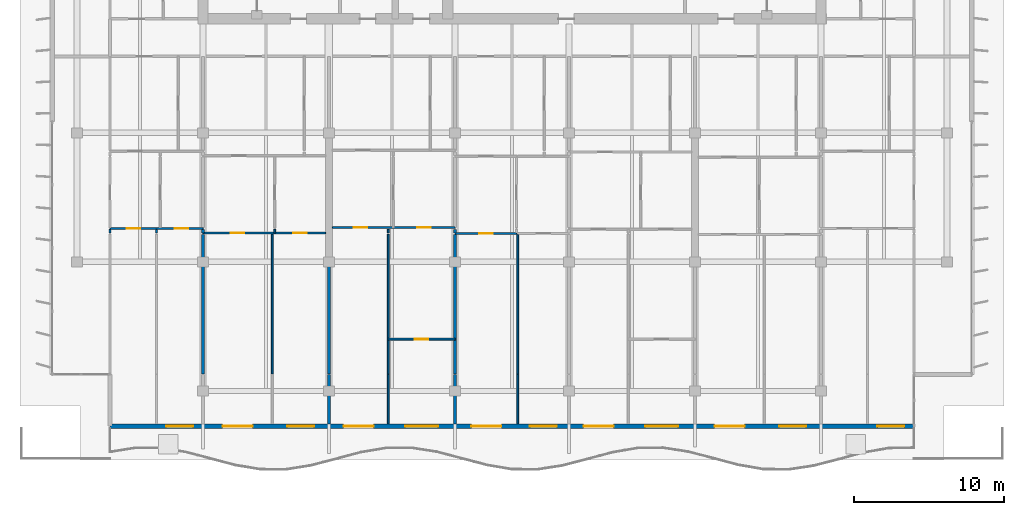
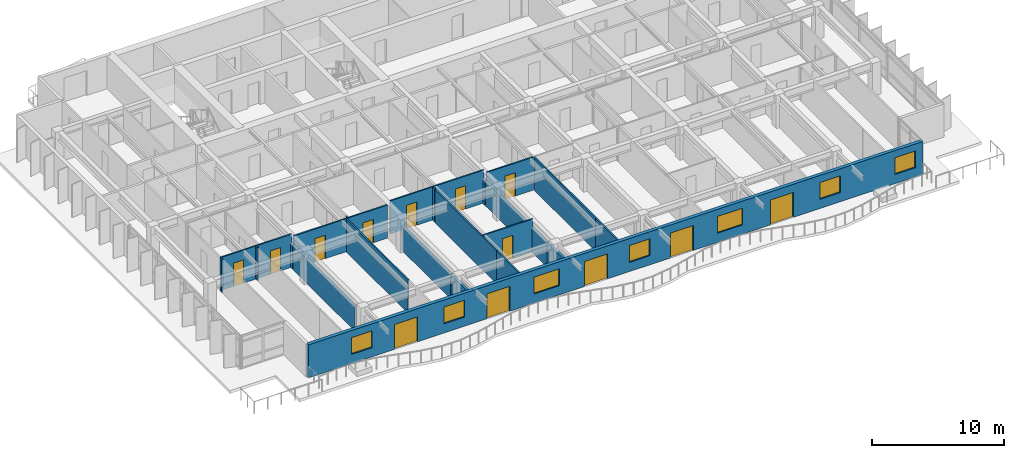
# One storey, part 6 of 17: 22 walls, 13 doors, 7 windows, 20 openings.
"""IFC4 building model written with IfcOpenShell, lengths in metres."""

from ifc_helpers import new_model, si_unit, direction, frame, frame_2d, origin, place, context, subcontext, project, spatial, rectangle, extrude, material, layer, layer_set, type_object, element, fill, save


model = new_model("IFC4")

# Units and contexts
model_context = context("Model", 3, precision=1e-05, world=origin(), true_north=direction((0.0, 1.0)))
body_context = subcontext(model_context, "Body", "Model", "MODEL_VIEW")
ifc_project = project(units=[si_unit("LENGTHUNIT", "METRE"), si_unit("AREAUNIT", "SQUARE_METRE"), si_unit("VOLUMEUNIT", "CUBIC_METRE"), si_unit("PLANEANGLEUNIT", "RADIAN"), si_unit("MASSUNIT", "GRAM", prefix="KILO")], contexts=[model_context])

# Site, building, storey
site_placement = place(None, origin())
site = spatial("IfcSite", under=ifc_project, at=site_placement, CompositionType="ELEMENT")
building_placement = place(site_placement, origin())
building = spatial("IfcBuilding", under=site, at=building_placement, Name="Caelmar Bay Residences", CompositionType="ELEMENT")
storey_placement = place(building_placement, frame((0.0, 0.0, 226.5)))
storey = spatial("IfcBuildingStorey", under=building, at=storey_placement, Name="L63", CompositionType="ELEMENT", Elevation=226.5)

# Wall, openings, doors, windows
ifc_material_1 = material(Name="Precast concrete f'c 40 MPa (6,000 psi)", Category="concrete")
ifc_layer_1 = layer(ifc_material_1, 0.300048828125)
ifc_layer_set_1 = layer_set([ifc_layer_1], Name="Precast concrete f'c 40 MPa (6,000 psi)")
wall_type_1 = type_object("IfcWallType", Name="W-EXT-300", PredefinedType="STANDARD", material=ifc_layer_set_1)
wall_1_placement = place(storey_placement, frame((65.699951171875, 9.85009765625, 0.0), z_axis=(0.0, 0.0, 1.0), x_axis=(-1.0, 0.0, 0.0)))
wall_1 = element("IfcWall", 1, at=wall_1_placement, inside=storey, type_object=wall_type_1, Name="L63 South Bayfront Exterior Wall", PredefinedType="STANDARD", context=body_context, shape_type="SweptSolid", body=[
    extrude(rectangle(XDim=53.599853515625, YDim=0.300048828125, at=frame_2d((26.7998046875, 0.0))), origin(), (0.0, 0.0, 1.0), 3.050048828125),
])
opening_1_placement = place(wall_1_placement, frame((48.050048828125, 0.0, 0.85009765625)))
opening_1 = element("IfcOpeningElement", 2, at=opening_1_placement, cuts=wall_1, Name="Opening WN1", PredefinedType="OPENING", context=body_context, shape_type="SweptSolid", body=[
    extrude(rectangle(XDim=1.800048828125, YDim=1.550048828125, at=frame_2d((0.89990234375, 0.77490234375))), frame((0.0, 0.159912109375, 0.0), z_axis=(0.0, -1.0, 0.0), x_axis=(1.0, 0.0, 0.0)), (0.0, 0.0, 1.0), 0.320068359375),
])
opening_2_placement = place(wall_1_placement, frame((44.090087890625, 0.0, 0.0)))
opening_2 = element("IfcOpeningElement", 3, at=opening_2_placement, cuts=wall_1, Name="Opening L63-BD01", PredefinedType="OPENING", context=body_context, shape_type="SweptSolid", body=[
    extrude(rectangle(XDim=2.0, YDim=2.300048828125, at=frame_2d((1.0, 1.14990234375))), frame((0.0, 0.159912109375, 0.0), z_axis=(0.0, -1.0, 0.0), x_axis=(1.0, 0.0, 0.0)), (0.0, 0.0, 1.0), 0.320068359375),
])
opening_3_placement = place(wall_1_placement, frame((39.989990234375, 0.0, 0.85009765625)))
opening_3 = element("IfcOpeningElement", 4, at=opening_3_placement, cuts=wall_1, Name="Opening WN1", PredefinedType="OPENING", context=body_context, shape_type="SweptSolid", body=[
    extrude(rectangle(XDim=1.800048828125, YDim=1.550048828125, at=frame_2d((0.89990234375, 0.77490234375))), frame((0.0, 0.159912109375, 0.0), z_axis=(0.0, -1.0, 0.0), x_axis=(1.0, 0.0, 0.0)), (0.0, 0.0, 1.0), 0.320068359375),
])
opening_4_placement = place(wall_1_placement, frame((36.02587890625, 0.0, 0.0)))
opening_4 = element("IfcOpeningElement", 5, at=opening_4_placement, cuts=wall_1, Name="Opening L63-BD02", PredefinedType="OPENING", context=body_context, shape_type="SweptSolid", body=[
    extrude(rectangle(XDim=2.0, YDim=2.300048828125, at=frame_2d((1.0, 1.14990234375))), frame((0.0, 0.159912109375, 0.0), z_axis=(0.0, -1.0, 0.0), x_axis=(1.0, 0.0, 0.0)), (0.0, 0.0, 1.0), 0.320068359375),
])
opening_5_placement = place(wall_1_placement, frame((31.72607421875, 0.0, 0.85009765625)))
opening_5 = element("IfcOpeningElement", 6, at=opening_5_placement, cuts=wall_1, Name="Opening WN2", PredefinedType="OPENING", context=body_context, shape_type="SweptSolid", body=[
    extrude(rectangle(XDim=2.199951171875, YDim=1.550048828125, at=frame_2d((1.10009765625, 0.77490234375))), frame((0.0, 0.159912109375, 0.0), z_axis=(0.0, -1.0, 0.0), x_axis=(1.0, 0.0, 0.0)), (0.0, 0.0, 1.0), 0.320068359375),
])
opening_6_placement = place(wall_1_placement, frame((27.510009765625, 0.0, 0.0)))
opening_6 = element("IfcOpeningElement", 7, at=opening_6_placement, cuts=wall_1, Name="Opening L63-BD03", PredefinedType="OPENING", context=body_context, shape_type="SweptSolid", body=[
    extrude(rectangle(XDim=2.0, YDim=2.300048828125, at=frame_2d((1.0, 1.14990234375))), frame((0.0, 0.159912109375, 0.0), z_axis=(0.0, -1.0, 0.0), x_axis=(1.0, 0.0, 0.0)), (0.0, 0.0, 1.0), 0.320068359375),
])
opening_7_placement = place(wall_1_placement, frame((23.81005859375, 0.0, 0.85009765625)))
opening_7 = element("IfcOpeningElement", 8, at=opening_7_placement, cuts=wall_1, Name="Opening WN1", PredefinedType="OPENING", context=body_context, shape_type="SweptSolid", body=[
    extrude(rectangle(XDim=1.800048828125, YDim=1.550048828125, at=frame_2d((0.89990234375, 0.77490234375))), frame((0.0, 0.159912109375, 0.0), z_axis=(0.0, -1.0, 0.0), x_axis=(1.0, 0.0, 0.0)), (0.0, 0.0, 1.0), 0.320068359375),
])
opening_8_placement = place(wall_1_placement, frame((20.02587890625, 0.0, 0.0)))
opening_8 = element("IfcOpeningElement", 9, at=opening_8_placement, cuts=wall_1, Name="Opening L63-BD04", PredefinedType="OPENING", context=body_context, shape_type="SweptSolid", body=[
    extrude(rectangle(XDim=2.0, YDim=2.300048828125, at=frame_2d((1.0, 1.14990234375))), frame((0.0, 0.159912109375, 0.0), z_axis=(0.0, -1.0, 0.0), x_axis=(1.0, 0.0, 0.0)), (0.0, 0.0, 1.0), 0.320068359375),
])
opening_9_placement = place(wall_1_placement, frame((15.72607421875, 0.0, 0.85009765625)))
opening_9 = element("IfcOpeningElement", 10, at=opening_9_placement, cuts=wall_1, Name="Opening WN2", PredefinedType="OPENING", context=body_context, shape_type="SweptSolid", body=[
    extrude(rectangle(XDim=2.199951171875, YDim=1.550048828125, at=frame_2d((1.10009765625, 0.77490234375))), frame((0.0, 0.159912109375, 0.0), z_axis=(0.0, -1.0, 0.0), x_axis=(1.0, 0.0, 0.0)), (0.0, 0.0, 1.0), 0.320068359375),
])
opening_10_placement = place(wall_1_placement, frame((11.2900390625, 0.0, 0.0)))
opening_10 = element("IfcOpeningElement", 11, at=opening_10_placement, cuts=wall_1, Name="Opening L63-BD05", PredefinedType="OPENING", context=body_context, shape_type="SweptSolid", body=[
    extrude(rectangle(XDim=2.0, YDim=2.300048828125, at=frame_2d((1.0, 1.14990234375))), frame((0.0, 0.159912109375, 0.0), z_axis=(0.0, -1.0, 0.0), x_axis=(1.0, 0.0, 0.0)), (0.0, 0.0, 1.0), 0.320068359375),
])
opening_11_placement = place(wall_1_placement, frame((7.18994140625, 0.0, 0.85009765625)))
opening_11 = element("IfcOpeningElement", 12, at=opening_11_placement, cuts=wall_1, Name="Opening WN1", PredefinedType="OPENING", context=body_context, shape_type="SweptSolid", body=[
    extrude(rectangle(XDim=1.800048828125, YDim=1.550048828125, at=frame_2d((0.89990234375, 0.77490234375))), frame((0.0, 0.159912109375, 0.0), z_axis=(0.0, -1.0, 0.0), x_axis=(1.0, 0.0, 0.0)), (0.0, 0.0, 1.0), 0.320068359375),
])
opening_12_placement = place(wall_1_placement, frame((0.64990234375, 0.0, 0.85009765625)))
opening_12 = element("IfcOpeningElement", 13, at=opening_12_placement, cuts=wall_1, Name="Opening WN1", PredefinedType="OPENING", context=body_context, shape_type="SweptSolid", body=[
    extrude(rectangle(XDim=1.800048828125, YDim=1.550048828125, at=frame_2d((0.89990234375, 0.77490234375))), frame((0.0, 0.159912109375, 0.0), z_axis=(0.0, -1.0, 0.0), x_axis=(1.0, 0.0, 0.0)), (0.0, 0.0, 1.0), 0.320068359375),
])
ifc_material_2 = material(Name="Anodised bronze thermally broken sliding glass door", Category="glass")
ifc_layer_2 = layer(ifc_material_2, 0.050048828125)
ifc_layer_set_2 = layer_set([ifc_layer_2], Name="Anodised bronze thermally broken sliding glass door")
door_type_1 = type_object("IfcDoorType", Name="D-BAL-2000", OperationType="DOUBLE_DOOR_SLIDING", PredefinedType="DOOR", material=ifc_layer_set_2)
door_1_placement = place(opening_2_placement, origin())
door_1 = element("IfcDoor", 14, at=door_1_placement, inside=storey, type_object=door_type_1, Name="L63 Residence 02 Living Room Balcony Door", OperationType="DOUBLE_DOOR_SLIDING", OverallHeight=2.300048828125, OverallWidth=2.0, PredefinedType="DOOR", context=body_context, shape_type="SweptSolid", body=[
    extrude(rectangle(XDim=2.0, YDim=2.300048828125, at=frame_2d((1.0, 1.14990234375))), frame((0.0, 0.02490234375, 0.0), z_axis=(0.0, -1.0, 0.0), x_axis=(1.0, 0.0, 0.0)), (0.0, 0.0, 1.0), 0.050048828125),
])
fill(opening_2, door_1)
door_2_placement = place(opening_4_placement, origin())
door_2 = element("IfcDoor", 15, at=door_2_placement, inside=storey, type_object=door_type_1, Name="L63 Residence 03 Living Room Balcony Door", OperationType="DOUBLE_DOOR_SLIDING", OverallHeight=2.300048828125, OverallWidth=2.0, PredefinedType="DOOR", context=body_context, shape_type="SweptSolid", body=[
    extrude(rectangle(XDim=2.0, YDim=2.300048828125, at=frame_2d((1.0, 1.14990234375))), frame((0.0, 0.02490234375, 0.0), z_axis=(0.0, -1.0, 0.0), x_axis=(1.0, 0.0, 0.0)), (0.0, 0.0, 1.0), 0.050048828125),
])
fill(opening_4, door_2)
door_3_placement = place(opening_6_placement, origin())
door_3 = element("IfcDoor", 16, at=door_3_placement, inside=storey, type_object=door_type_1, Name="L63 Residence 04 Living Room Balcony Door", OperationType="DOUBLE_DOOR_SLIDING", OverallHeight=2.300048828125, OverallWidth=2.0, PredefinedType="DOOR", context=body_context, shape_type="SweptSolid", body=[
    extrude(rectangle(XDim=2.0, YDim=2.300048828125, at=frame_2d((1.0, 1.14990234375))), frame((0.0, 0.02490234375, 0.0), z_axis=(0.0, -1.0, 0.0), x_axis=(1.0, 0.0, 0.0)), (0.0, 0.0, 1.0), 0.050048828125),
])
fill(opening_6, door_3)
door_4_placement = place(opening_8_placement, origin())
door_4 = element("IfcDoor", 17, at=door_4_placement, inside=storey, type_object=door_type_1, Name="L63 Residence 05 Living Room Balcony Door", OperationType="DOUBLE_DOOR_SLIDING", OverallHeight=2.300048828125, OverallWidth=2.0, PredefinedType="DOOR", context=body_context, shape_type="SweptSolid", body=[
    extrude(rectangle(XDim=2.0, YDim=2.300048828125, at=frame_2d((1.0, 1.14990234375))), frame((0.0, 0.02490234375, 0.0), z_axis=(0.0, -1.0, 0.0), x_axis=(1.0, 0.0, 0.0)), (0.0, 0.0, 1.0), 0.050048828125),
])
fill(opening_8, door_4)
door_5_placement = place(opening_10_placement, origin())
door_5 = element("IfcDoor", 18, at=door_5_placement, inside=storey, type_object=door_type_1, Name="L63 Residence 06 Living Room Balcony Door", OperationType="DOUBLE_DOOR_SLIDING", OverallHeight=2.300048828125, OverallWidth=2.0, PredefinedType="DOOR", context=body_context, shape_type="SweptSolid", body=[
    extrude(rectangle(XDim=2.0, YDim=2.300048828125, at=frame_2d((1.0, 1.14990234375))), frame((0.0, 0.02490234375, 0.0), z_axis=(0.0, -1.0, 0.0), x_axis=(1.0, 0.0, 0.0)), (0.0, 0.0, 1.0), 0.050048828125),
])
fill(opening_10, door_5)
ifc_material_3 = material(Name="Bronze aluminium frame with laminated low-E glass", Category="aluminium")
ifc_layer_3 = layer(ifc_material_3, 0.06005859375)
ifc_layer_set_3 = layer_set([ifc_layer_3], Name="Bronze aluminium frame with laminated low-E glass")
window_type_1 = type_object("IfcWindowType", Name="WIN-BR-1800", PartitioningType="SINGLE_PANEL", PredefinedType="WINDOW", material=ifc_layer_set_3)
window_1_placement = place(opening_1_placement, origin())
window_1 = element("IfcWindow", 19, at=window_1_placement, inside=storey, type_object=window_type_1, Name="L63 Residence 01 Primary Bedroom Window", OverallHeight=1.550048828125, OverallWidth=1.800048828125, PartitioningType="SINGLE_PANEL", PredefinedType="WINDOW", context=body_context, shape_type="SweptSolid", body=[
    extrude(rectangle(XDim=1.800048828125, YDim=1.550048828125, at=frame_2d((0.89990234375, 0.77490234375))), frame((0.0, 0.030029296875, 0.0), z_axis=(0.0, -1.0, 0.0), x_axis=(1.0, 0.0, 0.0)), (0.0, 0.0, 1.0), 0.06005859375),
])
fill(opening_1, window_1)
window_2_placement = place(opening_3_placement, origin())
window_2 = element("IfcWindow", 20, at=window_2_placement, inside=storey, type_object=window_type_1, Name="L63 Residence 02 Primary Bedroom Window", OverallHeight=1.550048828125, OverallWidth=1.800048828125, PartitioningType="SINGLE_PANEL", PredefinedType="WINDOW", context=body_context, shape_type="SweptSolid", body=[
    extrude(rectangle(XDim=1.800048828125, YDim=1.550048828125, at=frame_2d((0.89990234375, 0.77490234375))), frame((0.0, 0.030029296875, 0.0), z_axis=(0.0, -1.0, 0.0), x_axis=(1.0, 0.0, 0.0)), (0.0, 0.0, 1.0), 0.06005859375),
])
fill(opening_3, window_2)
window_3_placement = place(opening_7_placement, origin())
window_3 = element("IfcWindow", 21, at=window_3_placement, inside=storey, type_object=window_type_1, Name="L63 Residence 04 Primary Bedroom Window", OverallHeight=1.550048828125, OverallWidth=1.800048828125, PartitioningType="SINGLE_PANEL", PredefinedType="WINDOW", context=body_context, shape_type="SweptSolid", body=[
    extrude(rectangle(XDim=1.800048828125, YDim=1.550048828125, at=frame_2d((0.89990234375, 0.77490234375))), frame((0.0, 0.030029296875, 0.0), z_axis=(0.0, -1.0, 0.0), x_axis=(1.0, 0.0, 0.0)), (0.0, 0.0, 1.0), 0.06005859375),
])
fill(opening_7, window_3)
window_4_placement = place(opening_11_placement, origin())
window_4 = element("IfcWindow", 22, at=window_4_placement, inside=storey, type_object=window_type_1, Name="L63 Residence 06 Primary Bedroom Window", OverallHeight=1.550048828125, OverallWidth=1.800048828125, PartitioningType="SINGLE_PANEL", PredefinedType="WINDOW", context=body_context, shape_type="SweptSolid", body=[
    extrude(rectangle(XDim=1.800048828125, YDim=1.550048828125, at=frame_2d((0.89990234375, 0.77490234375))), frame((0.0, 0.030029296875, 0.0), z_axis=(0.0, -1.0, 0.0), x_axis=(1.0, 0.0, 0.0)), (0.0, 0.0, 1.0), 0.06005859375),
])
fill(opening_11, window_4)
window_5_placement = place(opening_12_placement, origin())
window_5 = element("IfcWindow", 23, at=window_5_placement, inside=storey, type_object=window_type_1, Name="L63 Residence 07 Primary Bedroom Window", OverallHeight=1.550048828125, OverallWidth=1.800048828125, PartitioningType="SINGLE_PANEL", PredefinedType="WINDOW", context=body_context, shape_type="SweptSolid", body=[
    extrude(rectangle(XDim=1.800048828125, YDim=1.550048828125, at=frame_2d((0.89990234375, 0.77490234375))), frame((0.0, 0.030029296875, 0.0), z_axis=(0.0, -1.0, 0.0), x_axis=(1.0, 0.0, 0.0)), (0.0, 0.0, 1.0), 0.06005859375),
])
fill(opening_12, window_5)
ifc_layer_4 = layer(ifc_material_3, 0.06005859375)
ifc_layer_set_4 = layer_set([ifc_layer_4], Name="Bronze aluminium frame with laminated low-E glass")
window_type_2 = type_object("IfcWindowType", Name="WIN-BR-2200", PartitioningType="SINGLE_PANEL", PredefinedType="WINDOW", material=ifc_layer_set_4)
window_6_placement = place(opening_5_placement, origin())
window_6 = element("IfcWindow", 24, at=window_6_placement, inside=storey, type_object=window_type_2, Name="L63 Residence 03 Primary Bedroom Window", OverallHeight=1.550048828125, OverallWidth=2.199951171875, PartitioningType="SINGLE_PANEL", PredefinedType="WINDOW", context=body_context, shape_type="SweptSolid", body=[
    extrude(rectangle(XDim=2.199951171875, YDim=1.550048828125, at=frame_2d((1.10009765625, 0.77490234375))), frame((0.0, 0.030029296875, 0.0), z_axis=(0.0, -1.0, 0.0), x_axis=(1.0, 0.0, 0.0)), (0.0, 0.0, 1.0), 0.06005859375),
])
fill(opening_5, window_6)
window_7_placement = place(opening_9_placement, origin())
window_7 = element("IfcWindow", 25, at=window_7_placement, inside=storey, type_object=window_type_2, Name="L63 Residence 05 Primary Bedroom Window", OverallHeight=1.550048828125, OverallWidth=2.199951171875, PartitioningType="SINGLE_PANEL", PredefinedType="WINDOW", context=body_context, shape_type="SweptSolid", body=[
    extrude(rectangle(XDim=2.199951171875, YDim=1.550048828125, at=frame_2d((1.10009765625, 0.77490234375))), frame((0.0, 0.030029296875, 0.0), z_axis=(0.0, -1.0, 0.0), x_axis=(1.0, 0.0, 0.0)), (0.0, 0.0, 1.0), 0.06005859375),
])
fill(opening_9, window_7)

# Walls
ifc_material_4 = material(Name="Acoustic metal-stud gypsum partition 120 mm")
ifc_layer_5 = layer(ifc_material_4, 0.1201171875)
ifc_layer_set_5 = layer_set([ifc_layer_5], Name="Acoustic metal-stud gypsum partition 120 mm")
wall_type_2 = type_object("IfcWallType", Name="W-PRT-120", PredefinedType="PARTITIONING", material=ifc_layer_set_5)
for number, where, z_axis, x_axis, name in (
    (26, (12.10009765625, 22.72998046875, 0.0), (0.0, 0.0, 1.0), (0.0, 1.0, 0.0), "L63 Partition Wall V002"),
    (27, (15.199951171875, 22.72998046875, 0.0), (0.0, 0.0, 1.0), (0.0, 1.0, 0.0), "L63 Partition Wall V010"),
):
    element("IfcWall", number, at=place(storey_placement, frame(where, z_axis=z_axis, x_axis=x_axis)), inside=storey, type_object=wall_type_2, Name=name, PredefinedType="PARTITIONING", context=body_context, shape_type="SweptSolid", body=[
        extrude(rectangle(XDim=0.239990234375, YDim=0.1201171875, at=frame_2d((0.1201171875, 0.0))), origin(), (0.0, 0.0, 1.0), 3.050048828125),
    ])
wall_2_placement = place(storey_placement, frame((22.919921875, 13.340087890625, 0.0), z_axis=(0.0, 0.0, 1.0), x_axis=(0.0, 1.0, 0.0)))
element("IfcWall", 28, at=wall_2_placement, inside=storey, type_object=wall_type_2, Name="L63 Partition Wall V023", PredefinedType="PARTITIONING", context=body_context, shape_type="SweptSolid", body=[
    extrude(rectangle(XDim=9.289794921875, YDim=0.1201171875, at=frame_2d((4.64501953125, 0.0))), origin(), (0.0, 0.0, 1.0), 3.050048828125),
])
wall_3_placement = place(storey_placement, frame((23.0859375, 22.72998046875, 0.0), z_axis=(0.0, 0.0, 1.0), x_axis=(0.0, 1.0, 0.0)))
element("IfcWall", 29, at=wall_3_placement, inside=storey, type_object=wall_type_2, Name="L63 Partition Wall V024", PredefinedType="PARTITIONING", context=body_context, shape_type="SweptSolid", body=[
    extrude(rectangle(XDim=0.239990234375, YDim=0.1201171875, at=frame_2d((0.1201171875, 0.0))), origin(), (0.0, 0.0, 1.0), 3.050048828125),
])
wall_4_placement = place(storey_placement, frame((30.64794921875, 9.9951171875, 0.0), z_axis=(0.0, 0.0, 1.0), x_axis=(0.0, 1.0, 0.0)))
element("IfcWall", 30, at=wall_4_placement, inside=storey, type_object=wall_type_2, Name="L63 Partition Wall V034", PredefinedType="PARTITIONING", context=body_context, shape_type="SweptSolid", body=[
    extrude(rectangle(XDim=3.304931640625, YDim=0.1201171875, at=frame_2d((1.65234375, 0.0))), origin(), (0.0, 0.0, 1.0), 3.050048828125),
])
wall_5_placement = place(storey_placement, frame((30.64794921875, 13.340087890625, 0.0), z_axis=(0.0, 0.0, 1.0), x_axis=(0.0, 1.0, 0.0)))
element("IfcWall", 31, at=wall_5_placement, inside=storey, type_object=wall_type_2, Name="L63 Partition Wall V035", PredefinedType="PARTITIONING", context=body_context, shape_type="SweptSolid", body=[
    extrude(rectangle(XDim=9.289794921875, YDim=0.1201171875, at=frame_2d((4.64501953125, 0.0))), origin(), (0.0, 0.0, 1.0), 3.050048828125),
])
wall_6_placement = place(storey_placement, frame((30.64794921875, 22.72998046875, 0.0), z_axis=(0.0, 0.0, 1.0), x_axis=(0.0, 1.0, 0.0)))
element("IfcWall", 32, at=wall_6_placement, inside=storey, type_object=wall_type_2, Name="L63 Partition Wall V036", PredefinedType="PARTITIONING", context=body_context, shape_type="SweptSolid", body=[
    extrude(rectangle(XDim=0.239990234375, YDim=0.1201171875, at=frame_2d((0.1201171875, 0.0))), origin(), (0.0, 0.0, 1.0), 3.050048828125),
])
wall_7_placement = place(storey_placement, frame((39.280029296875, 9.9951171875, 0.0), z_axis=(0.0, 0.0, 1.0), x_axis=(0.0, 1.0, 0.0)))
element("IfcWall", 33, at=wall_7_placement, inside=storey, type_object=wall_type_2, Name="L63 Partition Wall V049", PredefinedType="PARTITIONING", context=body_context, shape_type="SweptSolid", body=[
    extrude(rectangle(XDim=3.304931640625, YDim=0.1201171875, at=frame_2d((1.65234375, 0.0))), origin(), (0.0, 0.0, 1.0), 3.050048828125),
])
wall_8_placement = place(storey_placement, frame((39.280029296875, 13.340087890625, 0.0), z_axis=(0.0, 0.0, 1.0), x_axis=(0.0, 1.0, 0.0)))
element("IfcWall", 34, at=wall_8_placement, inside=storey, type_object=wall_type_2, Name="L63 Partition Wall V050", PredefinedType="PARTITIONING", context=body_context, shape_type="SweptSolid", body=[
    extrude(rectangle(XDim=9.289794921875, YDim=0.1201171875, at=frame_2d((4.64501953125, 0.0))), origin(), (0.0, 0.0, 1.0), 3.050048828125),
])

# Wall, opening, door
wall_9_placement = place(storey_placement, frame((30.64794921875, 15.64990234375, 0.0), z_axis=(0.0, 0.0, 1.0), x_axis=(1.0, 0.0, 0.0)))
wall_9 = element("IfcWall", 35, at=wall_9_placement, inside=storey, type_object=wall_type_2, Name="L63 Partition Wall H101", PredefinedType="PARTITIONING", context=body_context, shape_type="SweptSolid", body=[
    extrude(rectangle(XDim=4.4521484375, YDim=0.1201171875, at=frame_2d((2.22607421875, 0.0))), origin(), (0.0, 0.0, 1.0), 3.050048828125),
])
opening_13_placement = place(wall_9_placement, frame((1.77587890625, 0.0, 0.0)))
opening_13 = element("IfcOpeningElement", 36, at=opening_13_placement, cuts=wall_9, Name="Opening D-L63-140", PredefinedType="OPENING", context=body_context, shape_type="SweptSolid", body=[
    extrude(rectangle(XDim=0.89990234375, YDim=2.14990234375, at=frame_2d((0.449951171875, 1.074951171875))), frame((0.0, 0.070068359375, 0.0), z_axis=(0.0, -1.0, 0.0), x_axis=(1.0, 0.0, 0.0)), (0.0, 0.0, 1.0), 0.14013671875),
])
ifc_material_5 = material(Name="Solid walnut timber interior door leaf and frame", Category="wood")
ifc_layer_6 = layer(ifc_material_5, 0.050048828125)
ifc_layer_set_6 = layer_set([ifc_layer_6], Name="Solid walnut timber interior door leaf and frame")
door_type_2 = type_object("IfcDoorType", Name="D-ROOM-900", OperationType="NOTDEFINED", PredefinedType="DOOR", material=ifc_layer_set_6)
door_6_placement = place(opening_13_placement, origin())
door_6 = element("IfcDoor", 37, at=door_6_placement, inside=storey, type_object=door_type_2, Name="L63 Residence 03 Primary Bedroom Door", OperationType="SINGLE_SWING_LEFT", OverallHeight=2.14990234375, OverallWidth=0.89990234375, PredefinedType="DOOR", context=body_context, shape_type="SweptSolid", body=[
    extrude(rectangle(XDim=0.89990234375, YDim=2.14990234375, at=frame_2d((0.449951171875, 1.074951171875))), frame((0.0, 0.02490234375, 0.0), z_axis=(0.0, -1.0, 0.0), x_axis=(1.0, 0.0, 0.0)), (0.0, 0.0, 1.0), 0.050048828125),
])
fill(opening_13, door_6)

wall_10_placement = place(storey_placement, frame((35.10009765625, 22.68994140625, 0.0), z_axis=(0.0, 0.0, 1.0), x_axis=(1.0, 0.0, 0.0)))
wall_10 = element("IfcWall", 38, at=wall_10_placement, inside=storey, type_object=wall_type_2, Name="L63 Partition Wall H104", PredefinedType="PARTITIONING", context=body_context, shape_type="SweptSolid", body=[
    extrude(rectangle(XDim=4.10400390625, YDim=0.1201171875, at=frame_2d((2.052001953125, 0.0))), origin(), (0.0, 0.0, 1.0), 3.050048828125),
])
opening_14_placement = place(wall_10_placement, frame((1.60205078125, 0.0, 0.0)))
opening_14 = element("IfcOpeningElement", 39, at=opening_14_placement, cuts=wall_10, Name="Opening D-L63-145", PredefinedType="OPENING", context=body_context, shape_type="SweptSolid", body=[
    extrude(rectangle(XDim=0.89990234375, YDim=2.14990234375, at=frame_2d((0.449951171875, 1.074951171875))), frame((0.0, 0.070068359375, 0.0), z_axis=(0.0, -1.0, 0.0), x_axis=(1.0, 0.0, 0.0)), (0.0, 0.0, 1.0), 0.14013671875),
])
door_7_placement = place(opening_14_placement, origin())
door_7 = element("IfcDoor", 40, at=door_7_placement, inside=storey, type_object=door_type_2, Name="L63 Residence 04 Living Room Door", OperationType="SINGLE_SWING_RIGHT", OverallHeight=2.14990234375, OverallWidth=0.89990234375, PredefinedType="DOOR", context=body_context, shape_type="SweptSolid", body=[
    extrude(rectangle(XDim=0.89990234375, YDim=2.14990234375, at=frame_2d((0.449951171875, 1.074951171875))), frame((0.0, 0.02490234375, 0.0), z_axis=(0.0, -1.0, 0.0), x_axis=(1.0, 0.0, 0.0)), (0.0, 0.0, 1.0), 0.050048828125),
])
fill(opening_14, door_7)

# Wall, openings, doors
wall_11_placement = place(storey_placement, frame((18.300048828125, 22.72998046875, 0.0), z_axis=(0.0, 0.0, 1.0), x_axis=(1.0, 0.0, 0.0)))
wall_11 = element("IfcWall", 41, at=wall_11_placement, inside=storey, type_object=wall_type_2, Name="L63 Partition Wall H106", PredefinedType="PARTITIONING", context=body_context, shape_type="SweptSolid", body=[
    extrude(rectangle(XDim=8.179931640625, YDim=0.1201171875, at=frame_2d((4.08984375, 0.0))), origin(), (0.0, 0.0, 1.0), 3.050048828125),
])
opening_15_placement = place(wall_11_placement, frame((1.860107421875, 0.0, 0.0)))
opening_15 = element("IfcOpeningElement", 42, at=opening_15_placement, cuts=wall_11, Name="Opening D-L63-132", PredefinedType="OPENING", context=body_context, shape_type="SweptSolid", body=[
    extrude(rectangle(XDim=0.89990234375, YDim=2.14990234375, at=frame_2d((0.449951171875, 1.074951171875))), frame((0.0, 0.070068359375, 0.0), z_axis=(0.0, -1.0, 0.0), x_axis=(1.0, 0.0, 0.0)), (0.0, 0.0, 1.0), 0.14013671875),
])
opening_16_placement = place(wall_11_placement, frame((6.032958984375, 0.0, 0.0)))
opening_16 = element("IfcOpeningElement", 43, at=opening_16_placement, cuts=wall_11, Name="Opening D-L63-133", PredefinedType="OPENING", context=body_context, shape_type="SweptSolid", body=[
    extrude(rectangle(XDim=0.89990234375, YDim=2.14990234375, at=frame_2d((0.449951171875, 1.074951171875))), frame((0.0, 0.070068359375, 0.0), z_axis=(0.0, -1.0, 0.0), x_axis=(1.0, 0.0, 0.0)), (0.0, 0.0, 1.0), 0.14013671875),
])
door_8_placement = place(opening_15_placement, origin())
door_8 = element("IfcDoor", 44, at=door_8_placement, inside=storey, type_object=door_type_2, Name="L63 Residence 02 Living Room Door", OperationType="SINGLE_SWING_LEFT", OverallHeight=2.14990234375, OverallWidth=0.89990234375, PredefinedType="DOOR", context=body_context, shape_type="SweptSolid", body=[
    extrude(rectangle(XDim=0.89990234375, YDim=2.14990234375, at=frame_2d((0.449951171875, 1.074951171875))), frame((0.0, 0.02490234375, 0.0), z_axis=(0.0, -1.0, 0.0), x_axis=(1.0, 0.0, 0.0)), (0.0, 0.0, 1.0), 0.050048828125),
])
fill(opening_15, door_8)
door_9_placement = place(opening_16_placement, origin())
door_9 = element("IfcDoor", 45, at=door_9_placement, inside=storey, type_object=door_type_2, Name="L63 Residence 02 Primary Bedroom Door", OperationType="SINGLE_SWING_RIGHT", OverallHeight=2.14990234375, OverallWidth=0.89990234375, PredefinedType="DOOR", context=body_context, shape_type="SweptSolid", body=[
    extrude(rectangle(XDim=0.89990234375, YDim=2.14990234375, at=frame_2d((0.449951171875, 1.074951171875))), frame((0.0, 0.02490234375, 0.0), z_axis=(0.0, -1.0, 0.0), x_axis=(1.0, 0.0, 0.0)), (0.0, 0.0, 1.0), 0.050048828125),
])
fill(opening_16, door_9)

wall_12_placement = place(storey_placement, frame((12.10009765625, 23.030029296875, 0.0), z_axis=(0.0, 0.0, 1.0), x_axis=(1.0, 0.0, 0.0)))
wall_12 = element("IfcWall", 46, at=wall_12_placement, inside=storey, type_object=wall_type_2, Name="L63 Partition Wall H108", PredefinedType="PARTITIONING", context=body_context, shape_type="SweptSolid", body=[
    extrude(rectangle(XDim=6.199951171875, YDim=0.1201171875, at=frame_2d((3.10009765625, 0.0))), origin(), (0.0, 0.0, 1.0), 3.050048828125),
])
opening_17_placement = place(wall_12_placement, frame((1.10009765625, 0.0, 0.0)))
opening_17 = element("IfcOpeningElement", 47, at=opening_17_placement, cuts=wall_12, Name="Opening D-L63-126", PredefinedType="OPENING", context=body_context, shape_type="SweptSolid", body=[
    extrude(rectangle(XDim=0.89990234375, YDim=2.14990234375, at=frame_2d((0.449951171875, 1.074951171875))), frame((0.0, 0.070068359375, 0.0), z_axis=(0.0, -1.0, 0.0), x_axis=(1.0, 0.0, 0.0)), (0.0, 0.0, 1.0), 0.14013671875),
])
opening_18_placement = place(wall_12_placement, frame((4.323974609375, 0.0, 0.0)))
opening_18 = element("IfcOpeningElement", 48, at=opening_18_placement, cuts=wall_12, Name="Opening D-L63-127", PredefinedType="OPENING", context=body_context, shape_type="SweptSolid", body=[
    extrude(rectangle(XDim=0.89990234375, YDim=2.14990234375, at=frame_2d((0.449951171875, 1.074951171875))), frame((0.0, 0.070068359375, 0.0), z_axis=(0.0, -1.0, 0.0), x_axis=(1.0, 0.0, 0.0)), (0.0, 0.0, 1.0), 0.14013671875),
])
door_10_placement = place(opening_17_placement, origin())
door_10 = element("IfcDoor", 49, at=door_10_placement, inside=storey, type_object=door_type_2, Name="L63 Residence 01 Living Room Door", OperationType="SINGLE_SWING_LEFT", OverallHeight=2.14990234375, OverallWidth=0.89990234375, PredefinedType="DOOR", context=body_context, shape_type="SweptSolid", body=[
    extrude(rectangle(XDim=0.89990234375, YDim=2.14990234375, at=frame_2d((0.449951171875, 1.074951171875))), frame((0.0, 0.02490234375, 0.0), z_axis=(0.0, -1.0, 0.0), x_axis=(1.0, 0.0, 0.0)), (0.0, 0.0, 1.0), 0.050048828125),
])
fill(opening_17, door_10)
door_11_placement = place(opening_18_placement, origin())
door_11 = element("IfcDoor", 50, at=door_11_placement, inside=storey, type_object=door_type_2, Name="L63 Residence 01 Primary Bedroom Door", OperationType="SINGLE_SWING_RIGHT", OverallHeight=2.14990234375, OverallWidth=0.89990234375, PredefinedType="DOOR", context=body_context, shape_type="SweptSolid", body=[
    extrude(rectangle(XDim=0.89990234375, YDim=2.14990234375, at=frame_2d((0.449951171875, 1.074951171875))), frame((0.0, 0.02490234375, 0.0), z_axis=(0.0, -1.0, 0.0), x_axis=(1.0, 0.0, 0.0)), (0.0, 0.0, 1.0), 0.050048828125),
])
fill(opening_18, door_11)

wall_13_placement = place(storey_placement, frame((26.919921875, 23.090087890625, 0.0), z_axis=(0.0, 0.0, 1.0), x_axis=(1.0, 0.0, 0.0)))
wall_13 = element("IfcWall", 51, at=wall_13_placement, inside=storey, type_object=wall_type_2, Name="L63 Partition Wall H110", PredefinedType="PARTITIONING", context=body_context, shape_type="SweptSolid", body=[
    extrude(rectangle(XDim=8.18017578125, YDim=0.1201171875, at=frame_2d((4.090087890625, 0.0))), origin(), (0.0, 0.0, 1.0), 3.050048828125),
])
opening_19_placement = place(wall_13_placement, frame((1.4140625, 0.0, 0.0)))
opening_19 = element("IfcOpeningElement", 52, at=opening_19_placement, cuts=wall_13, Name="Opening D-L63-138", PredefinedType="OPENING", context=body_context, shape_type="SweptSolid", body=[
    extrude(rectangle(XDim=0.89990234375, YDim=2.14990234375, at=frame_2d((0.449951171875, 1.074951171875))), frame((0.0, 0.070068359375, 0.0), z_axis=(0.0, -1.0, 0.0), x_axis=(1.0, 0.0, 0.0)), (0.0, 0.0, 1.0), 0.14013671875),
])
opening_20_placement = place(wall_13_placement, frame((5.673095703125, 0.0, 0.0)))
opening_20 = element("IfcOpeningElement", 53, at=opening_20_placement, cuts=wall_13, Name="Opening D-L63-139", PredefinedType="OPENING", context=body_context, shape_type="SweptSolid", body=[
    extrude(rectangle(XDim=0.89990234375, YDim=2.14990234375, at=frame_2d((0.449951171875, 1.074951171875))), frame((0.0, 0.070068359375, 0.0), z_axis=(0.0, -1.0, 0.0), x_axis=(1.0, 0.0, 0.0)), (0.0, 0.0, 1.0), 0.14013671875),
])
door_12_placement = place(opening_19_placement, origin())
door_12 = element("IfcDoor", 54, at=door_12_placement, inside=storey, type_object=door_type_2, Name="L63 Residence 03 Living Room Door", OperationType="SINGLE_SWING_LEFT", OverallHeight=2.14990234375, OverallWidth=0.89990234375, PredefinedType="DOOR", context=body_context, shape_type="SweptSolid", body=[
    extrude(rectangle(XDim=0.89990234375, YDim=2.14990234375, at=frame_2d((0.449951171875, 1.074951171875))), frame((0.0, 0.02490234375, 0.0), z_axis=(0.0, -1.0, 0.0), x_axis=(1.0, 0.0, 0.0)), (0.0, 0.0, 1.0), 0.050048828125),
])
fill(opening_19, door_12)
door_13_placement = place(opening_20_placement, origin())
door_13 = element("IfcDoor", 55, at=door_13_placement, inside=storey, type_object=door_type_2, Name="L63 Residence 03 Bedroom 2 Door", OperationType="SINGLE_SWING_RIGHT", OverallHeight=2.14990234375, OverallWidth=0.89990234375, PredefinedType="DOOR", context=body_context, shape_type="SweptSolid", body=[
    extrude(rectangle(XDim=0.89990234375, YDim=2.14990234375, at=frame_2d((0.449951171875, 1.074951171875))), frame((0.0, 0.02490234375, 0.0), z_axis=(0.0, -1.0, 0.0), x_axis=(1.0, 0.0, 0.0)), (0.0, 0.0, 1.0), 0.050048828125),
])
fill(opening_20, door_13)

# Walls
ifc_material_6 = material(Name="Acoustic twin-stud fire-rated inter-tenancy partition 200 mm")
ifc_layer_7 = layer(ifc_material_6, 0.199951171875)
ifc_layer_set_7 = layer_set([ifc_layer_7], Name="Acoustic twin-stud fire-rated inter-tenancy partition 200 mm")
wall_type_3 = type_object("IfcWallType", Name="W-PTY-200", PredefinedType="PARTITIONING", material=ifc_layer_set_7)
wall_14_placement = place(storey_placement, frame((18.300048828125, 13.340087890625, 0.0), z_axis=(0.0, 0.0, 1.0), x_axis=(0.0, 1.0, 0.0)))
element("IfcWall", 56, at=wall_14_placement, inside=storey, type_object=wall_type_3, Name="L63 Partition Wall V016", PredefinedType="PARTITIONING", context=body_context, shape_type="SweptSolid", body=[
    extrude(rectangle(XDim=9.289794921875, YDim=0.199951171875, at=frame_2d((4.64501953125, 0.0))), origin(), (0.0, 0.0, 1.0), 2.262939453125),
])
wall_15_placement = place(storey_placement, frame((18.300048828125, 22.72998046875, 0.0), z_axis=(0.0, 0.0, 1.0), x_axis=(0.0, 1.0, 0.0)))
element("IfcWall", 57, at=wall_15_placement, inside=storey, type_object=wall_type_3, Name="L63 Partition Wall V017", PredefinedType="PARTITIONING", context=body_context, shape_type="SweptSolid", body=[
    extrude(rectangle(XDim=0.239990234375, YDim=0.199951171875, at=frame_2d((0.1201171875, 0.0))), origin(), (0.0, 0.0, 1.0), 2.262939453125),
])
wall_16_placement = place(storey_placement, frame((26.699951171875, 9.9951171875, 0.0), z_axis=(0.0, 0.0, 1.0), x_axis=(0.0, 1.0, 0.0)))
element("IfcWall", 58, at=wall_16_placement, inside=storey, type_object=wall_type_3, Name="L63 Partition Wall V029", PredefinedType="PARTITIONING", context=body_context, shape_type="SweptSolid", body=[
    extrude(rectangle(XDim=3.304931640625, YDim=0.199951171875, at=frame_2d((1.65234375, 0.0))), origin(), (0.0, 0.0, 1.0), 2.262939453125),
])
wall_17_placement = place(storey_placement, frame((26.699951171875, 13.340087890625, 0.0), z_axis=(0.0, 0.0, 1.0), x_axis=(0.0, 1.0, 0.0)))
element("IfcWall", 59, at=wall_17_placement, inside=storey, type_object=wall_type_3, Name="L63 Partition Wall V030", PredefinedType="PARTITIONING", context=body_context, shape_type="SweptSolid", body=[
    extrude(rectangle(XDim=7.454833984375, YDim=0.199951171875, at=frame_2d((3.7275390625, 0.0))), origin(), (0.0, 0.0, 1.0), 2.262939453125),
])
wall_18_placement = place(storey_placement, frame((35.10009765625, 9.9951171875, 0.0), z_axis=(0.0, 0.0, 1.0), x_axis=(0.0, 1.0, 0.0)))
element("IfcWall", 60, at=wall_18_placement, inside=storey, type_object=wall_type_3, Name="L63 Partition Wall V041", PredefinedType="PARTITIONING", context=body_context, shape_type="SweptSolid", body=[
    extrude(rectangle(XDim=3.304931640625, YDim=0.199951171875, at=frame_2d((1.65234375, 0.0))), origin(), (0.0, 0.0, 1.0), 2.262939453125),
])
wall_19_placement = place(storey_placement, frame((35.10009765625, 13.340087890625, 0.0), z_axis=(0.0, 0.0, 1.0), x_axis=(0.0, 1.0, 0.0)))
element("IfcWall", 61, at=wall_19_placement, inside=storey, type_object=wall_type_3, Name="L63 Partition Wall V042", PredefinedType="PARTITIONING", context=body_context, shape_type="SweptSolid", body=[
    extrude(rectangle(XDim=9.289794921875, YDim=0.199951171875, at=frame_2d((4.64501953125, 0.0))), origin(), (0.0, 0.0, 1.0), 2.262939453125),
])
wall_20_placement = place(storey_placement, frame((35.10009765625, 22.72998046875, 0.0), z_axis=(0.0, 0.0, 1.0), x_axis=(0.0, 1.0, 0.0)))
element("IfcWall", 62, at=wall_20_placement, inside=storey, type_object=wall_type_3, Name="L63 Partition Wall V043", PredefinedType="PARTITIONING", context=body_context, shape_type="SweptSolid", body=[
    extrude(rectangle(XDim=0.239990234375, YDim=0.199951171875, at=frame_2d((0.1201171875, 0.0))), origin(), (0.0, 0.0, 1.0), 2.262939453125),
])

save(model, "model.ifc")
